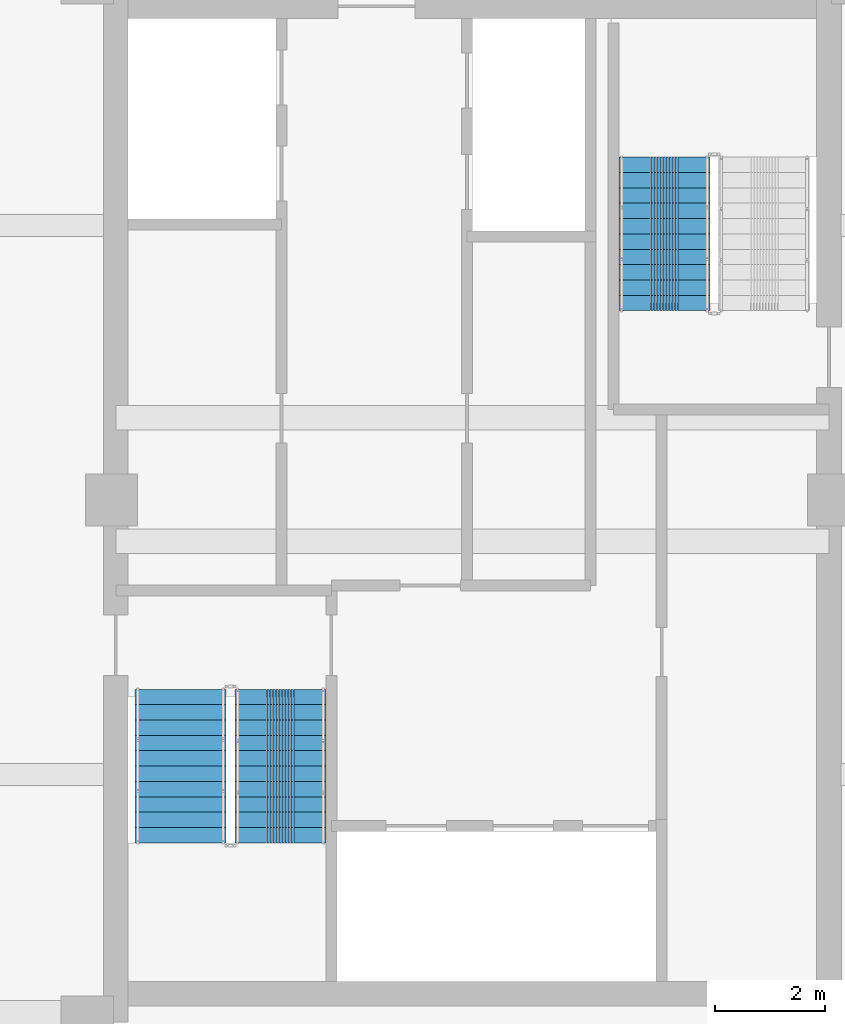
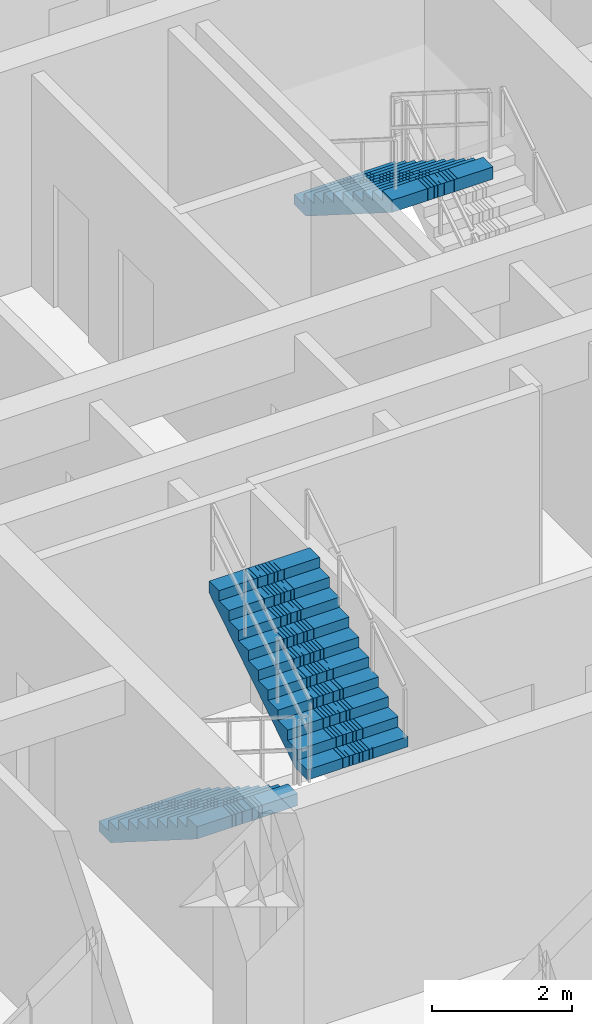
# One storey, part 21 of 27: 3 stair flights, 2 elements without a shape of their own.
"""IFC4 building model written with IfcOpenShell, lengths in metres."""

from ifc_helpers import new_model, si_unit, direction, frame, origin, place, context, subcontext, project, spatial, polyline, outline, extrude, material, type_object, element, aggregate, save


model = new_model("IFC4")

# Units and contexts
model_context = context("Model", 3, precision=1e-05, world=origin(), true_north=direction((0.0, 1.0)))
body_context = subcontext(model_context, "Body", "Model", "MODEL_VIEW")
ifc_project = project(units=[si_unit("LENGTHUNIT", "METRE"), si_unit("AREAUNIT", "SQUARE_METRE"), si_unit("VOLUMEUNIT", "CUBIC_METRE"), si_unit("PLANEANGLEUNIT", "RADIAN"), si_unit("MASSUNIT", "GRAM", prefix="KILO")], contexts=[model_context])

# Site, building, storey
site_placement = place(None, origin())
site = spatial("IfcSite", under=ifc_project, at=site_placement, CompositionType="ELEMENT")
building_placement = place(site_placement, origin())
building = spatial("IfcBuilding", under=site, at=building_placement, Name="Saelheon Loggia Tower", CompositionType="ELEMENT")
storey_placement = place(building_placement, frame((0.0, 0.0, 226.199951171875)))
storey = spatial("IfcBuildingStorey", under=building, at=storey_placement, Name="L70", CompositionType="ELEMENT", Elevation=226.199951171875)

# Stair, stair flights
ifc_material = material(Name="Concrete C40/50", Category="concrete")
stair_type = type_object("IfcStairType", Name="Stair_Escape_Core", PredefinedType="HALF_TURN_STAIR", material=ifc_material)
stair_1_placement = place(storey_placement, origin())
stair_1 = element("IfcStair", 1, at=stair_1_placement, inside=storey, type_object=stair_type, Name="L70 Special Escape Stair ST1", PredefinedType="HALF_TURN_STAIR")
stair_flight_type = type_object("IfcStairFlightType", Name="StairFlight_Tower_1660", PredefinedType="STRAIGHT", material=ifc_material)
stair_flight_1_placement = place(storey_placement, frame((32.679931640625, 23.550048828125, 0.0), z_axis=(0.0, 0.0, 1.0), x_axis=(0.0, -1.0, 0.0)))
stair_flight_1 = element("IfcStairFlight", 2, at=stair_flight_1_placement, type_object=stair_flight_type, Name="ST1 flight 1", NumberOfRisers=11, NumberOfTreads=10, PredefinedType="STRAIGHT", RiserHeight=0.177272727, TreadLength=0.28, context=body_context, shape_type="SweptSolid", body=[
    extrude(outline(polyline([(0.0, 0.0), (0.0, 0.17724609375), (0.280029296875, 0.17724609375), (0.280029296875, 0.3544921875), (0.56005859375, 0.3544921875), (0.56005859375, 0.53173828125), (0.840087890625, 0.53173828125), (0.840087890625, 0.708984375), (1.1201171875, 0.708984375), (1.1201171875, 0.886474609375), (1.39990234375, 0.886474609375), (1.39990234375, 1.063720703125), (1.679931640625, 1.063720703125), (1.679931640625, 1.240966796875), (1.9599609375, 1.240966796875), (1.9599609375, 1.418212890625), (2.239990234375, 1.418212890625), (2.239990234375, 1.595458984375), (2.52001953125, 1.595458984375), (2.52001953125, 1.772705078125), (2.800048828125, 1.772705078125), (2.800048828125, 1.949951171875), (2.800048828125, 1.559814453125), (0.33642578125, 0.0), (0.0, 0.0)])), frame((0.0, -0.2490234375, 0.0), z_axis=(0.0, -1.0, 0.0), x_axis=(1.0, 0.0, 0.0)), (0.0, 0.0, 1.0), 0.5810546875),
    extrude(outline(polyline([(0.0, 0.0), (0.0, 0.17724609375), (0.280029296875, 0.17724609375), (0.280029296875, 0.3544921875), (0.56005859375, 0.3544921875), (0.56005859375, 0.53173828125), (0.840087890625, 0.53173828125), (0.840087890625, 0.708984375), (1.1201171875, 0.708984375), (1.1201171875, 0.886474609375), (1.39990234375, 0.886474609375), (1.39990234375, 1.063720703125), (1.679931640625, 1.063720703125), (1.679931640625, 1.240966796875), (1.9599609375, 1.240966796875), (1.9599609375, 1.418212890625), (2.239990234375, 1.418212890625), (2.239990234375, 1.595458984375), (2.52001953125, 1.595458984375), (2.52001953125, 1.772705078125), (2.800048828125, 1.772705078125), (2.800048828125, 1.949951171875), (2.800048828125, 1.559814453125), (0.33642578125, 0.0), (0.0, 0.0)])), frame((0.0, -0.194091796875, 0.0), z_axis=(0.0, -1.0, 0.0), x_axis=(1.0, 0.0, 0.0)), (0.0, 0.0, 1.0), 0.0498046875),
    extrude(outline(polyline([(0.0, 0.0), (0.0, 0.17724609375), (0.280029296875, 0.17724609375), (0.280029296875, 0.3544921875), (0.56005859375, 0.3544921875), (0.56005859375, 0.53173828125), (0.840087890625, 0.53173828125), (0.840087890625, 0.708984375), (1.1201171875, 0.708984375), (1.1201171875, 0.886474609375), (1.39990234375, 0.886474609375), (1.39990234375, 1.063720703125), (1.679931640625, 1.063720703125), (1.679931640625, 1.240966796875), (1.9599609375, 1.240966796875), (1.9599609375, 1.418212890625), (2.239990234375, 1.418212890625), (2.239990234375, 1.595458984375), (2.52001953125, 1.595458984375), (2.52001953125, 1.772705078125), (2.800048828125, 1.772705078125), (2.800048828125, 1.949951171875), (2.800048828125, 1.559814453125), (0.33642578125, 0.0), (0.0, 0.0)])), frame((0.0, -0.139404296875, 0.0), z_axis=(0.0, -1.0, 0.0), x_axis=(1.0, 0.0, 0.0)), (0.0, 0.0, 1.0), 0.0498046875),
    extrude(outline(polyline([(0.0, 0.0), (0.0, 0.17724609375), (0.280029296875, 0.17724609375), (0.280029296875, 0.3544921875), (0.56005859375, 0.3544921875), (0.56005859375, 0.53173828125), (0.840087890625, 0.53173828125), (0.840087890625, 0.708984375), (1.1201171875, 0.708984375), (1.1201171875, 0.886474609375), (1.39990234375, 0.886474609375), (1.39990234375, 1.063720703125), (1.679931640625, 1.063720703125), (1.679931640625, 1.240966796875), (1.9599609375, 1.240966796875), (1.9599609375, 1.418212890625), (2.239990234375, 1.418212890625), (2.239990234375, 1.595458984375), (2.52001953125, 1.595458984375), (2.52001953125, 1.772705078125), (2.800048828125, 1.772705078125), (2.800048828125, 1.949951171875), (2.800048828125, 1.559814453125), (0.33642578125, 0.0), (0.0, 0.0)])), frame((0.0, -0.084716796875, 0.0), z_axis=(0.0, -1.0, 0.0), x_axis=(1.0, 0.0, 0.0)), (0.0, 0.0, 1.0), 0.0498046875),
    extrude(outline(polyline([(0.0, 0.0), (0.0, 0.17724609375), (0.280029296875, 0.17724609375), (0.280029296875, 0.3544921875), (0.56005859375, 0.3544921875), (0.56005859375, 0.53173828125), (0.840087890625, 0.53173828125), (0.840087890625, 0.708984375), (1.1201171875, 0.708984375), (1.1201171875, 0.886474609375), (1.39990234375, 0.886474609375), (1.39990234375, 1.063720703125), (1.679931640625, 1.063720703125), (1.679931640625, 1.240966796875), (1.9599609375, 1.240966796875), (1.9599609375, 1.418212890625), (2.239990234375, 1.418212890625), (2.239990234375, 1.595458984375), (2.52001953125, 1.595458984375), (2.52001953125, 1.772705078125), (2.800048828125, 1.772705078125), (2.800048828125, 1.949951171875), (2.800048828125, 1.559814453125), (0.33642578125, 0.0), (0.0, 0.0)])), frame((0.0, -0.02978515625, 0.0), z_axis=(0.0, -1.0, 0.0), x_axis=(1.0, 0.0, 0.0)), (0.0, 0.0, 1.0), 0.0498046875),
    extrude(outline(polyline([(0.0, 0.0), (0.0, 0.17724609375), (0.280029296875, 0.17724609375), (0.280029296875, 0.3544921875), (0.56005859375, 0.3544921875), (0.56005859375, 0.53173828125), (0.840087890625, 0.53173828125), (0.840087890625, 0.708984375), (1.1201171875, 0.708984375), (1.1201171875, 0.886474609375), (1.39990234375, 0.886474609375), (1.39990234375, 1.063720703125), (1.679931640625, 1.063720703125), (1.679931640625, 1.240966796875), (1.9599609375, 1.240966796875), (1.9599609375, 1.418212890625), (2.239990234375, 1.418212890625), (2.239990234375, 1.595458984375), (2.52001953125, 1.595458984375), (2.52001953125, 1.772705078125), (2.800048828125, 1.772705078125), (2.800048828125, 1.949951171875), (2.800048828125, 1.559814453125), (0.33642578125, 0.0), (0.0, 0.0)])), frame((0.0, 0.02490234375, 0.0), z_axis=(0.0, -1.0, 0.0), x_axis=(1.0, 0.0, 0.0)), (0.0, 0.0, 1.0), 0.0498046875),
    extrude(outline(polyline([(0.0, 0.0), (0.0, 0.17724609375), (0.280029296875, 0.17724609375), (0.280029296875, 0.3544921875), (0.56005859375, 0.3544921875), (0.56005859375, 0.53173828125), (0.840087890625, 0.53173828125), (0.840087890625, 0.708984375), (1.1201171875, 0.708984375), (1.1201171875, 0.886474609375), (1.39990234375, 0.886474609375), (1.39990234375, 1.063720703125), (1.679931640625, 1.063720703125), (1.679931640625, 1.240966796875), (1.9599609375, 1.240966796875), (1.9599609375, 1.418212890625), (2.239990234375, 1.418212890625), (2.239990234375, 1.595458984375), (2.52001953125, 1.595458984375), (2.52001953125, 1.772705078125), (2.800048828125, 1.772705078125), (2.800048828125, 1.949951171875), (2.800048828125, 1.559814453125), (0.33642578125, 0.0), (0.0, 0.0)])), frame((0.0, 0.07958984375, 0.0), z_axis=(0.0, -1.0, 0.0), x_axis=(1.0, 0.0, 0.0)), (0.0, 0.0, 1.0), 0.0498046875),
    extrude(outline(polyline([(0.0, 0.0), (0.0, 0.17724609375), (0.280029296875, 0.17724609375), (0.280029296875, 0.3544921875), (0.56005859375, 0.3544921875), (0.56005859375, 0.53173828125), (0.840087890625, 0.53173828125), (0.840087890625, 0.708984375), (1.1201171875, 0.708984375), (1.1201171875, 0.886474609375), (1.39990234375, 0.886474609375), (1.39990234375, 1.063720703125), (1.679931640625, 1.063720703125), (1.679931640625, 1.240966796875), (1.9599609375, 1.240966796875), (1.9599609375, 1.418212890625), (2.239990234375, 1.418212890625), (2.239990234375, 1.595458984375), (2.52001953125, 1.595458984375), (2.52001953125, 1.772705078125), (2.800048828125, 1.772705078125), (2.800048828125, 1.949951171875), (2.800048828125, 1.559814453125), (0.33642578125, 0.0), (0.0, 0.0)])), frame((0.0, 0.134521484375, 0.0), z_axis=(0.0, -1.0, 0.0), x_axis=(1.0, 0.0, 0.0)), (0.0, 0.0, 1.0), 0.0498046875),
    extrude(outline(polyline([(0.0, 0.0), (0.0, 0.17724609375), (0.280029296875, 0.17724609375), (0.280029296875, 0.3544921875), (0.56005859375, 0.3544921875), (0.56005859375, 0.53173828125), (0.840087890625, 0.53173828125), (0.840087890625, 0.708984375), (1.1201171875, 0.708984375), (1.1201171875, 0.886474609375), (1.39990234375, 0.886474609375), (1.39990234375, 1.063720703125), (1.679931640625, 1.063720703125), (1.679931640625, 1.240966796875), (1.9599609375, 1.240966796875), (1.9599609375, 1.418212890625), (2.239990234375, 1.418212890625), (2.239990234375, 1.595458984375), (2.52001953125, 1.595458984375), (2.52001953125, 1.772705078125), (2.800048828125, 1.772705078125), (2.800048828125, 1.949951171875), (2.800048828125, 1.559814453125), (0.33642578125, 0.0), (0.0, 0.0)])), frame((0.0, 0.189208984375, 0.0), z_axis=(0.0, -1.0, 0.0), x_axis=(1.0, 0.0, 0.0)), (0.0, 0.0, 1.0), 0.0498046875),
    extrude(outline(polyline([(0.0, 0.0), (0.0, 0.17724609375), (0.280029296875, 0.17724609375), (0.280029296875, 0.3544921875), (0.56005859375, 0.3544921875), (0.56005859375, 0.53173828125), (0.840087890625, 0.53173828125), (0.840087890625, 0.708984375), (1.1201171875, 0.708984375), (1.1201171875, 0.886474609375), (1.39990234375, 0.886474609375), (1.39990234375, 1.063720703125), (1.679931640625, 1.063720703125), (1.679931640625, 1.240966796875), (1.9599609375, 1.240966796875), (1.9599609375, 1.418212890625), (2.239990234375, 1.418212890625), (2.239990234375, 1.595458984375), (2.52001953125, 1.595458984375), (2.52001953125, 1.772705078125), (2.800048828125, 1.772705078125), (2.800048828125, 1.949951171875), (2.800048828125, 1.559814453125), (0.33642578125, 0.0), (0.0, 0.0)])), frame((0.0, 0.243896484375, 0.0), z_axis=(0.0, -1.0, 0.0), x_axis=(1.0, 0.0, 0.0)), (0.0, 0.0, 1.0), 0.0498046875),
    extrude(outline(polyline([(0.0, 0.0), (0.0, 0.17724609375), (0.280029296875, 0.17724609375), (0.280029296875, 0.3544921875), (0.56005859375, 0.3544921875), (0.56005859375, 0.53173828125), (0.840087890625, 0.53173828125), (0.840087890625, 0.708984375), (1.1201171875, 0.708984375), (1.1201171875, 0.886474609375), (1.39990234375, 0.886474609375), (1.39990234375, 1.063720703125), (1.679931640625, 1.063720703125), (1.679931640625, 1.240966796875), (1.9599609375, 1.240966796875), (1.9599609375, 1.418212890625), (2.239990234375, 1.418212890625), (2.239990234375, 1.595458984375), (2.52001953125, 1.595458984375), (2.52001953125, 1.772705078125), (2.800048828125, 1.772705078125), (2.800048828125, 1.949951171875), (2.800048828125, 1.559814453125), (0.33642578125, 0.0), (0.0, 0.0)])), frame((0.0, 0.830078125, 0.0), z_axis=(0.0, -1.0, 0.0), x_axis=(1.0, 0.0, 0.0)), (0.0, 0.0, 1.0), 0.5810546875),
])
stair_flight_2_placement = place(storey_placement, frame((34.5, 20.75, 1.949951171875), z_axis=(0.0, 0.0, 1.0), x_axis=(0.0, 1.0, 0.0)))
stair_flight_2 = element("IfcStairFlight", 3, at=stair_flight_2_placement, type_object=stair_flight_type, Name="ST1 flight 2", NumberOfRisers=11, NumberOfTreads=10, PredefinedType="STRAIGHT", RiserHeight=0.177272727, TreadLength=0.28, context=body_context, shape_type="SweptSolid", body=[
    extrude(outline(polyline([(0.0, 0.0), (0.0, 0.17724609375), (0.280029296875, 0.17724609375), (0.280029296875, 0.3544921875), (0.56005859375, 0.3544921875), (0.56005859375, 0.53173828125), (0.840087890625, 0.53173828125), (0.840087890625, 0.708984375), (1.1201171875, 0.708984375), (1.1201171875, 0.886474609375), (1.39990234375, 0.886474609375), (1.39990234375, 1.063720703125), (1.679931640625, 1.063720703125), (1.679931640625, 1.240966796875), (1.9599609375, 1.240966796875), (1.9599609375, 1.418212890625), (2.239990234375, 1.418212890625), (2.239990234375, 1.595458984375), (2.52001953125, 1.595458984375), (2.52001953125, 1.772705078125), (2.800048828125, 1.772705078125), (2.800048828125, 1.949951171875), (2.800048828125, 1.559814453125), (0.33642578125, 0.0), (0.0, 0.0)])), frame((0.0, -0.2490234375, 0.0), z_axis=(0.0, -1.0, 0.0), x_axis=(1.0, 0.0, 0.0)), (0.0, 0.0, 1.0), 0.5810546875),
    extrude(outline(polyline([(0.0, 0.0), (0.0, 0.17724609375), (0.280029296875, 0.17724609375), (0.280029296875, 0.3544921875), (0.56005859375, 0.3544921875), (0.56005859375, 0.53173828125), (0.840087890625, 0.53173828125), (0.840087890625, 0.708984375), (1.1201171875, 0.708984375), (1.1201171875, 0.886474609375), (1.39990234375, 0.886474609375), (1.39990234375, 1.063720703125), (1.679931640625, 1.063720703125), (1.679931640625, 1.240966796875), (1.9599609375, 1.240966796875), (1.9599609375, 1.418212890625), (2.239990234375, 1.418212890625), (2.239990234375, 1.595458984375), (2.52001953125, 1.595458984375), (2.52001953125, 1.772705078125), (2.800048828125, 1.772705078125), (2.800048828125, 1.949951171875), (2.800048828125, 1.559814453125), (0.33642578125, 0.0), (0.0, 0.0)])), frame((0.0, -0.194091796875, 0.0), z_axis=(0.0, -1.0, 0.0), x_axis=(1.0, 0.0, 0.0)), (0.0, 0.0, 1.0), 0.0498046875),
    extrude(outline(polyline([(0.0, 0.0), (0.0, 0.17724609375), (0.280029296875, 0.17724609375), (0.280029296875, 0.3544921875), (0.56005859375, 0.3544921875), (0.56005859375, 0.53173828125), (0.840087890625, 0.53173828125), (0.840087890625, 0.708984375), (1.1201171875, 0.708984375), (1.1201171875, 0.886474609375), (1.39990234375, 0.886474609375), (1.39990234375, 1.063720703125), (1.679931640625, 1.063720703125), (1.679931640625, 1.240966796875), (1.9599609375, 1.240966796875), (1.9599609375, 1.418212890625), (2.239990234375, 1.418212890625), (2.239990234375, 1.595458984375), (2.52001953125, 1.595458984375), (2.52001953125, 1.772705078125), (2.800048828125, 1.772705078125), (2.800048828125, 1.949951171875), (2.800048828125, 1.559814453125), (0.33642578125, 0.0), (0.0, 0.0)])), frame((0.0, -0.139404296875, 0.0), z_axis=(0.0, -1.0, 0.0), x_axis=(1.0, 0.0, 0.0)), (0.0, 0.0, 1.0), 0.0498046875),
    extrude(outline(polyline([(0.0, 0.0), (0.0, 0.17724609375), (0.280029296875, 0.17724609375), (0.280029296875, 0.3544921875), (0.56005859375, 0.3544921875), (0.56005859375, 0.53173828125), (0.840087890625, 0.53173828125), (0.840087890625, 0.708984375), (1.1201171875, 0.708984375), (1.1201171875, 0.886474609375), (1.39990234375, 0.886474609375), (1.39990234375, 1.063720703125), (1.679931640625, 1.063720703125), (1.679931640625, 1.240966796875), (1.9599609375, 1.240966796875), (1.9599609375, 1.418212890625), (2.239990234375, 1.418212890625), (2.239990234375, 1.595458984375), (2.52001953125, 1.595458984375), (2.52001953125, 1.772705078125), (2.800048828125, 1.772705078125), (2.800048828125, 1.949951171875), (2.800048828125, 1.559814453125), (0.33642578125, 0.0), (0.0, 0.0)])), frame((0.0, -0.084716796875, 0.0), z_axis=(0.0, -1.0, 0.0), x_axis=(1.0, 0.0, 0.0)), (0.0, 0.0, 1.0), 0.0498046875),
    extrude(outline(polyline([(0.0, 0.0), (0.0, 0.17724609375), (0.280029296875, 0.17724609375), (0.280029296875, 0.3544921875), (0.56005859375, 0.3544921875), (0.56005859375, 0.53173828125), (0.840087890625, 0.53173828125), (0.840087890625, 0.708984375), (1.1201171875, 0.708984375), (1.1201171875, 0.886474609375), (1.39990234375, 0.886474609375), (1.39990234375, 1.063720703125), (1.679931640625, 1.063720703125), (1.679931640625, 1.240966796875), (1.9599609375, 1.240966796875), (1.9599609375, 1.418212890625), (2.239990234375, 1.418212890625), (2.239990234375, 1.595458984375), (2.52001953125, 1.595458984375), (2.52001953125, 1.772705078125), (2.800048828125, 1.772705078125), (2.800048828125, 1.949951171875), (2.800048828125, 1.559814453125), (0.33642578125, 0.0), (0.0, 0.0)])), frame((0.0, -0.02978515625, 0.0), z_axis=(0.0, -1.0, 0.0), x_axis=(1.0, 0.0, 0.0)), (0.0, 0.0, 1.0), 0.0498046875),
    extrude(outline(polyline([(0.0, 0.0), (0.0, 0.17724609375), (0.280029296875, 0.17724609375), (0.280029296875, 0.3544921875), (0.56005859375, 0.3544921875), (0.56005859375, 0.53173828125), (0.840087890625, 0.53173828125), (0.840087890625, 0.708984375), (1.1201171875, 0.708984375), (1.1201171875, 0.886474609375), (1.39990234375, 0.886474609375), (1.39990234375, 1.063720703125), (1.679931640625, 1.063720703125), (1.679931640625, 1.240966796875), (1.9599609375, 1.240966796875), (1.9599609375, 1.418212890625), (2.239990234375, 1.418212890625), (2.239990234375, 1.595458984375), (2.52001953125, 1.595458984375), (2.52001953125, 1.772705078125), (2.800048828125, 1.772705078125), (2.800048828125, 1.949951171875), (2.800048828125, 1.559814453125), (0.33642578125, 0.0), (0.0, 0.0)])), frame((0.0, 0.02490234375, 0.0), z_axis=(0.0, -1.0, 0.0), x_axis=(1.0, 0.0, 0.0)), (0.0, 0.0, 1.0), 0.0498046875),
    extrude(outline(polyline([(0.0, 0.0), (0.0, 0.17724609375), (0.280029296875, 0.17724609375), (0.280029296875, 0.3544921875), (0.56005859375, 0.3544921875), (0.56005859375, 0.53173828125), (0.840087890625, 0.53173828125), (0.840087890625, 0.708984375), (1.1201171875, 0.708984375), (1.1201171875, 0.886474609375), (1.39990234375, 0.886474609375), (1.39990234375, 1.063720703125), (1.679931640625, 1.063720703125), (1.679931640625, 1.240966796875), (1.9599609375, 1.240966796875), (1.9599609375, 1.418212890625), (2.239990234375, 1.418212890625), (2.239990234375, 1.595458984375), (2.52001953125, 1.595458984375), (2.52001953125, 1.772705078125), (2.800048828125, 1.772705078125), (2.800048828125, 1.949951171875), (2.800048828125, 1.559814453125), (0.33642578125, 0.0), (0.0, 0.0)])), frame((0.0, 0.07958984375, 0.0), z_axis=(0.0, -1.0, 0.0), x_axis=(1.0, 0.0, 0.0)), (0.0, 0.0, 1.0), 0.0498046875),
    extrude(outline(polyline([(0.0, 0.0), (0.0, 0.17724609375), (0.280029296875, 0.17724609375), (0.280029296875, 0.3544921875), (0.56005859375, 0.3544921875), (0.56005859375, 0.53173828125), (0.840087890625, 0.53173828125), (0.840087890625, 0.708984375), (1.1201171875, 0.708984375), (1.1201171875, 0.886474609375), (1.39990234375, 0.886474609375), (1.39990234375, 1.063720703125), (1.679931640625, 1.063720703125), (1.679931640625, 1.240966796875), (1.9599609375, 1.240966796875), (1.9599609375, 1.418212890625), (2.239990234375, 1.418212890625), (2.239990234375, 1.595458984375), (2.52001953125, 1.595458984375), (2.52001953125, 1.772705078125), (2.800048828125, 1.772705078125), (2.800048828125, 1.949951171875), (2.800048828125, 1.559814453125), (0.33642578125, 0.0), (0.0, 0.0)])), frame((0.0, 0.134521484375, 0.0), z_axis=(0.0, -1.0, 0.0), x_axis=(1.0, 0.0, 0.0)), (0.0, 0.0, 1.0), 0.0498046875),
    extrude(outline(polyline([(0.0, 0.0), (0.0, 0.17724609375), (0.280029296875, 0.17724609375), (0.280029296875, 0.3544921875), (0.56005859375, 0.3544921875), (0.56005859375, 0.53173828125), (0.840087890625, 0.53173828125), (0.840087890625, 0.708984375), (1.1201171875, 0.708984375), (1.1201171875, 0.886474609375), (1.39990234375, 0.886474609375), (1.39990234375, 1.063720703125), (1.679931640625, 1.063720703125), (1.679931640625, 1.240966796875), (1.9599609375, 1.240966796875), (1.9599609375, 1.418212890625), (2.239990234375, 1.418212890625), (2.239990234375, 1.595458984375), (2.52001953125, 1.595458984375), (2.52001953125, 1.772705078125), (2.800048828125, 1.772705078125), (2.800048828125, 1.949951171875), (2.800048828125, 1.559814453125), (0.33642578125, 0.0), (0.0, 0.0)])), frame((0.0, 0.189208984375, 0.0), z_axis=(0.0, -1.0, 0.0), x_axis=(1.0, 0.0, 0.0)), (0.0, 0.0, 1.0), 0.0498046875),
    extrude(outline(polyline([(0.0, 0.0), (0.0, 0.17724609375), (0.280029296875, 0.17724609375), (0.280029296875, 0.3544921875), (0.56005859375, 0.3544921875), (0.56005859375, 0.53173828125), (0.840087890625, 0.53173828125), (0.840087890625, 0.708984375), (1.1201171875, 0.708984375), (1.1201171875, 0.886474609375), (1.39990234375, 0.886474609375), (1.39990234375, 1.063720703125), (1.679931640625, 1.063720703125), (1.679931640625, 1.240966796875), (1.9599609375, 1.240966796875), (1.9599609375, 1.418212890625), (2.239990234375, 1.418212890625), (2.239990234375, 1.595458984375), (2.52001953125, 1.595458984375), (2.52001953125, 1.772705078125), (2.800048828125, 1.772705078125), (2.800048828125, 1.949951171875), (2.800048828125, 1.559814453125), (0.33642578125, 0.0), (0.0, 0.0)])), frame((0.0, 0.243896484375, 0.0), z_axis=(0.0, -1.0, 0.0), x_axis=(1.0, 0.0, 0.0)), (0.0, 0.0, 1.0), 0.0498046875),
    extrude(outline(polyline([(0.0, 0.0), (0.0, 0.17724609375), (0.280029296875, 0.17724609375), (0.280029296875, 0.3544921875), (0.56005859375, 0.3544921875), (0.56005859375, 0.53173828125), (0.840087890625, 0.53173828125), (0.840087890625, 0.708984375), (1.1201171875, 0.708984375), (1.1201171875, 0.886474609375), (1.39990234375, 0.886474609375), (1.39990234375, 1.063720703125), (1.679931640625, 1.063720703125), (1.679931640625, 1.240966796875), (1.9599609375, 1.240966796875), (1.9599609375, 1.418212890625), (2.239990234375, 1.418212890625), (2.239990234375, 1.595458984375), (2.52001953125, 1.595458984375), (2.52001953125, 1.772705078125), (2.800048828125, 1.772705078125), (2.800048828125, 1.949951171875), (2.800048828125, 1.559814453125), (0.33642578125, 0.0), (0.0, 0.0)])), frame((0.0, 0.830078125, 0.0), z_axis=(0.0, -1.0, 0.0), x_axis=(1.0, 0.0, 0.0)), (0.0, 0.0, 1.0), 0.5810546875),
])
aggregate(stair_1, [stair_flight_1, stair_flight_2])

# Stair, stair flight
stair_2_placement = place(storey_placement, origin())
stair_2 = element("IfcStair", 4, at=stair_2_placement, inside=storey, type_object=stair_type, Name="L70 Special Escape Stair ST2", PredefinedType="HALF_TURN_STAIR")
stair_flight_3_placement = place(storey_placement, frame((41.5, 33.25, 1.949951171875), z_axis=(0.0, 0.0, 1.0), x_axis=(0.0, -1.0, 0.0)))
stair_flight_3 = element("IfcStairFlight", 5, at=stair_flight_3_placement, type_object=stair_flight_type, Name="ST2 flight 2", NumberOfRisers=11, NumberOfTreads=10, PredefinedType="STRAIGHT", RiserHeight=0.177272727, TreadLength=0.28, context=body_context, shape_type="SweptSolid", body=[
    extrude(outline(polyline([(0.0, 0.0), (0.0, 0.17724609375), (0.280029296875, 0.17724609375), (0.280029296875, 0.3544921875), (0.56005859375, 0.3544921875), (0.56005859375, 0.53173828125), (0.840087890625, 0.53173828125), (0.840087890625, 0.708984375), (1.1201171875, 0.708984375), (1.1201171875, 0.886474609375), (1.39990234375, 0.886474609375), (1.39990234375, 1.063720703125), (1.679931640625, 1.063720703125), (1.679931640625, 1.240966796875), (1.9599609375, 1.240966796875), (1.9599609375, 1.418212890625), (2.239990234375, 1.418212890625), (2.239990234375, 1.595458984375), (2.52001953125, 1.595458984375), (2.52001953125, 1.772705078125), (2.800048828125, 1.772705078125), (2.800048828125, 1.949951171875), (2.800048828125, 1.559814453125), (0.33642578125, 0.0), (0.0, 0.0)])), frame((0.0, -0.2490234375, 0.0), z_axis=(0.0, -1.0, 0.0), x_axis=(1.0, 0.0, 0.0)), (0.0, 0.0, 1.0), 0.5810546875),
    extrude(outline(polyline([(0.0, 0.0), (0.0, 0.17724609375), (0.280029296875, 0.17724609375), (0.280029296875, 0.3544921875), (0.56005859375, 0.3544921875), (0.56005859375, 0.53173828125), (0.840087890625, 0.53173828125), (0.840087890625, 0.708984375), (1.1201171875, 0.708984375), (1.1201171875, 0.886474609375), (1.39990234375, 0.886474609375), (1.39990234375, 1.063720703125), (1.679931640625, 1.063720703125), (1.679931640625, 1.240966796875), (1.9599609375, 1.240966796875), (1.9599609375, 1.418212890625), (2.239990234375, 1.418212890625), (2.239990234375, 1.595458984375), (2.52001953125, 1.595458984375), (2.52001953125, 1.772705078125), (2.800048828125, 1.772705078125), (2.800048828125, 1.949951171875), (2.800048828125, 1.559814453125), (0.33642578125, 0.0), (0.0, 0.0)])), frame((0.0, -0.194091796875, 0.0), z_axis=(0.0, -1.0, 0.0), x_axis=(1.0, 0.0, 0.0)), (0.0, 0.0, 1.0), 0.0498046875),
    extrude(outline(polyline([(0.0, 0.0), (0.0, 0.17724609375), (0.280029296875, 0.17724609375), (0.280029296875, 0.3544921875), (0.56005859375, 0.3544921875), (0.56005859375, 0.53173828125), (0.840087890625, 0.53173828125), (0.840087890625, 0.708984375), (1.1201171875, 0.708984375), (1.1201171875, 0.886474609375), (1.39990234375, 0.886474609375), (1.39990234375, 1.063720703125), (1.679931640625, 1.063720703125), (1.679931640625, 1.240966796875), (1.9599609375, 1.240966796875), (1.9599609375, 1.418212890625), (2.239990234375, 1.418212890625), (2.239990234375, 1.595458984375), (2.52001953125, 1.595458984375), (2.52001953125, 1.772705078125), (2.800048828125, 1.772705078125), (2.800048828125, 1.949951171875), (2.800048828125, 1.559814453125), (0.33642578125, 0.0), (0.0, 0.0)])), frame((0.0, -0.139404296875, 0.0), z_axis=(0.0, -1.0, 0.0), x_axis=(1.0, 0.0, 0.0)), (0.0, 0.0, 1.0), 0.0498046875),
    extrude(outline(polyline([(0.0, 0.0), (0.0, 0.17724609375), (0.280029296875, 0.17724609375), (0.280029296875, 0.3544921875), (0.56005859375, 0.3544921875), (0.56005859375, 0.53173828125), (0.840087890625, 0.53173828125), (0.840087890625, 0.708984375), (1.1201171875, 0.708984375), (1.1201171875, 0.886474609375), (1.39990234375, 0.886474609375), (1.39990234375, 1.063720703125), (1.679931640625, 1.063720703125), (1.679931640625, 1.240966796875), (1.9599609375, 1.240966796875), (1.9599609375, 1.418212890625), (2.239990234375, 1.418212890625), (2.239990234375, 1.595458984375), (2.52001953125, 1.595458984375), (2.52001953125, 1.772705078125), (2.800048828125, 1.772705078125), (2.800048828125, 1.949951171875), (2.800048828125, 1.559814453125), (0.33642578125, 0.0), (0.0, 0.0)])), frame((0.0, -0.084716796875, 0.0), z_axis=(0.0, -1.0, 0.0), x_axis=(1.0, 0.0, 0.0)), (0.0, 0.0, 1.0), 0.0498046875),
    extrude(outline(polyline([(0.0, 0.0), (0.0, 0.17724609375), (0.280029296875, 0.17724609375), (0.280029296875, 0.3544921875), (0.56005859375, 0.3544921875), (0.56005859375, 0.53173828125), (0.840087890625, 0.53173828125), (0.840087890625, 0.708984375), (1.1201171875, 0.708984375), (1.1201171875, 0.886474609375), (1.39990234375, 0.886474609375), (1.39990234375, 1.063720703125), (1.679931640625, 1.063720703125), (1.679931640625, 1.240966796875), (1.9599609375, 1.240966796875), (1.9599609375, 1.418212890625), (2.239990234375, 1.418212890625), (2.239990234375, 1.595458984375), (2.52001953125, 1.595458984375), (2.52001953125, 1.772705078125), (2.800048828125, 1.772705078125), (2.800048828125, 1.949951171875), (2.800048828125, 1.559814453125), (0.33642578125, 0.0), (0.0, 0.0)])), frame((0.0, -0.02978515625, 0.0), z_axis=(0.0, -1.0, 0.0), x_axis=(1.0, 0.0, 0.0)), (0.0, 0.0, 1.0), 0.0498046875),
    extrude(outline(polyline([(0.0, 0.0), (0.0, 0.17724609375), (0.280029296875, 0.17724609375), (0.280029296875, 0.3544921875), (0.56005859375, 0.3544921875), (0.56005859375, 0.53173828125), (0.840087890625, 0.53173828125), (0.840087890625, 0.708984375), (1.1201171875, 0.708984375), (1.1201171875, 0.886474609375), (1.39990234375, 0.886474609375), (1.39990234375, 1.063720703125), (1.679931640625, 1.063720703125), (1.679931640625, 1.240966796875), (1.9599609375, 1.240966796875), (1.9599609375, 1.418212890625), (2.239990234375, 1.418212890625), (2.239990234375, 1.595458984375), (2.52001953125, 1.595458984375), (2.52001953125, 1.772705078125), (2.800048828125, 1.772705078125), (2.800048828125, 1.949951171875), (2.800048828125, 1.559814453125), (0.33642578125, 0.0), (0.0, 0.0)])), frame((0.0, 0.02490234375, 0.0), z_axis=(0.0, -1.0, 0.0), x_axis=(1.0, 0.0, 0.0)), (0.0, 0.0, 1.0), 0.0498046875),
    extrude(outline(polyline([(0.0, 0.0), (0.0, 0.17724609375), (0.280029296875, 0.17724609375), (0.280029296875, 0.3544921875), (0.56005859375, 0.3544921875), (0.56005859375, 0.53173828125), (0.840087890625, 0.53173828125), (0.840087890625, 0.708984375), (1.1201171875, 0.708984375), (1.1201171875, 0.886474609375), (1.39990234375, 0.886474609375), (1.39990234375, 1.063720703125), (1.679931640625, 1.063720703125), (1.679931640625, 1.240966796875), (1.9599609375, 1.240966796875), (1.9599609375, 1.418212890625), (2.239990234375, 1.418212890625), (2.239990234375, 1.595458984375), (2.52001953125, 1.595458984375), (2.52001953125, 1.772705078125), (2.800048828125, 1.772705078125), (2.800048828125, 1.949951171875), (2.800048828125, 1.559814453125), (0.33642578125, 0.0), (0.0, 0.0)])), frame((0.0, 0.07958984375, 0.0), z_axis=(0.0, -1.0, 0.0), x_axis=(1.0, 0.0, 0.0)), (0.0, 0.0, 1.0), 0.0498046875),
    extrude(outline(polyline([(0.0, 0.0), (0.0, 0.17724609375), (0.280029296875, 0.17724609375), (0.280029296875, 0.3544921875), (0.56005859375, 0.3544921875), (0.56005859375, 0.53173828125), (0.840087890625, 0.53173828125), (0.840087890625, 0.708984375), (1.1201171875, 0.708984375), (1.1201171875, 0.886474609375), (1.39990234375, 0.886474609375), (1.39990234375, 1.063720703125), (1.679931640625, 1.063720703125), (1.679931640625, 1.240966796875), (1.9599609375, 1.240966796875), (1.9599609375, 1.418212890625), (2.239990234375, 1.418212890625), (2.239990234375, 1.595458984375), (2.52001953125, 1.595458984375), (2.52001953125, 1.772705078125), (2.800048828125, 1.772705078125), (2.800048828125, 1.949951171875), (2.800048828125, 1.559814453125), (0.33642578125, 0.0), (0.0, 0.0)])), frame((0.0, 0.134521484375, 0.0), z_axis=(0.0, -1.0, 0.0), x_axis=(1.0, 0.0, 0.0)), (0.0, 0.0, 1.0), 0.0498046875),
    extrude(outline(polyline([(0.0, 0.0), (0.0, 0.17724609375), (0.280029296875, 0.17724609375), (0.280029296875, 0.3544921875), (0.56005859375, 0.3544921875), (0.56005859375, 0.53173828125), (0.840087890625, 0.53173828125), (0.840087890625, 0.708984375), (1.1201171875, 0.708984375), (1.1201171875, 0.886474609375), (1.39990234375, 0.886474609375), (1.39990234375, 1.063720703125), (1.679931640625, 1.063720703125), (1.679931640625, 1.240966796875), (1.9599609375, 1.240966796875), (1.9599609375, 1.418212890625), (2.239990234375, 1.418212890625), (2.239990234375, 1.595458984375), (2.52001953125, 1.595458984375), (2.52001953125, 1.772705078125), (2.800048828125, 1.772705078125), (2.800048828125, 1.949951171875), (2.800048828125, 1.559814453125), (0.33642578125, 0.0), (0.0, 0.0)])), frame((0.0, 0.189208984375, 0.0), z_axis=(0.0, -1.0, 0.0), x_axis=(1.0, 0.0, 0.0)), (0.0, 0.0, 1.0), 0.0498046875),
    extrude(outline(polyline([(0.0, 0.0), (0.0, 0.17724609375), (0.280029296875, 0.17724609375), (0.280029296875, 0.3544921875), (0.56005859375, 0.3544921875), (0.56005859375, 0.53173828125), (0.840087890625, 0.53173828125), (0.840087890625, 0.708984375), (1.1201171875, 0.708984375), (1.1201171875, 0.886474609375), (1.39990234375, 0.886474609375), (1.39990234375, 1.063720703125), (1.679931640625, 1.063720703125), (1.679931640625, 1.240966796875), (1.9599609375, 1.240966796875), (1.9599609375, 1.418212890625), (2.239990234375, 1.418212890625), (2.239990234375, 1.595458984375), (2.52001953125, 1.595458984375), (2.52001953125, 1.772705078125), (2.800048828125, 1.772705078125), (2.800048828125, 1.949951171875), (2.800048828125, 1.559814453125), (0.33642578125, 0.0), (0.0, 0.0)])), frame((0.0, 0.243896484375, 0.0), z_axis=(0.0, -1.0, 0.0), x_axis=(1.0, 0.0, 0.0)), (0.0, 0.0, 1.0), 0.0498046875),
    extrude(outline(polyline([(0.0, 0.0), (0.0, 0.17724609375), (0.280029296875, 0.17724609375), (0.280029296875, 0.3544921875), (0.56005859375, 0.3544921875), (0.56005859375, 0.53173828125), (0.840087890625, 0.53173828125), (0.840087890625, 0.708984375), (1.1201171875, 0.708984375), (1.1201171875, 0.886474609375), (1.39990234375, 0.886474609375), (1.39990234375, 1.063720703125), (1.679931640625, 1.063720703125), (1.679931640625, 1.240966796875), (1.9599609375, 1.240966796875), (1.9599609375, 1.418212890625), (2.239990234375, 1.418212890625), (2.239990234375, 1.595458984375), (2.52001953125, 1.595458984375), (2.52001953125, 1.772705078125), (2.800048828125, 1.772705078125), (2.800048828125, 1.949951171875), (2.800048828125, 1.559814453125), (0.33642578125, 0.0), (0.0, 0.0)])), frame((0.0, 0.830078125, 0.0), z_axis=(0.0, -1.0, 0.0), x_axis=(1.0, 0.0, 0.0)), (0.0, 0.0, 1.0), 0.5810546875),
])
aggregate(stair_2, [stair_flight_3])

save(model, "model.ifc")
